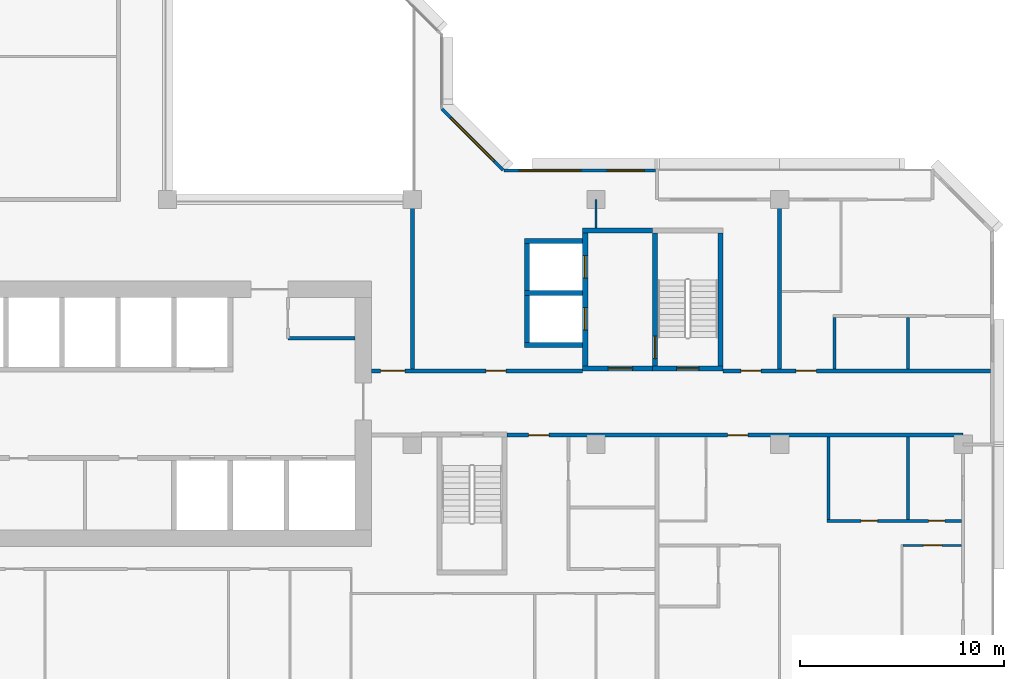
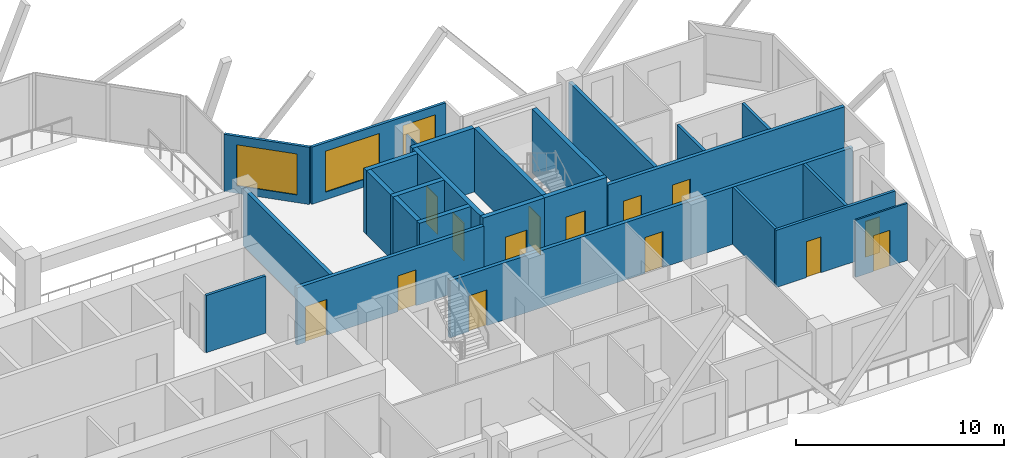
# One storey, part 7 of 15: 26 walls, 14 doors, 3 windows, 17 openings.
"""IFC4 building model written with IfcOpenShell, lengths in metres."""

from ifc_helpers import new_model, si_unit, direction, frame, frame_2d, origin, place, context, subcontext, project, spatial, rectangle, extrude, material, layer, layer_set, type_object, element, fill, save


model = new_model("IFC4")

# Units and contexts
model_context = context("Model", 3, precision=1e-05, world=origin(), true_north=direction((0.0, 1.0)))
body_context = subcontext(model_context, "Body", "Model", "MODEL_VIEW")
ifc_project = project(units=[si_unit("LENGTHUNIT", "METRE"), si_unit("AREAUNIT", "SQUARE_METRE"), si_unit("VOLUMEUNIT", "CUBIC_METRE"), si_unit("PLANEANGLEUNIT", "RADIAN"), si_unit("MASSUNIT", "GRAM", prefix="KILO")], contexts=[model_context])

# Site, building, storey
site_placement = place(None, origin())
site = spatial("IfcSite", under=ifc_project, at=site_placement, CompositionType="ELEMENT")
building_placement = place(site_placement, origin())
building = spatial("IfcBuilding", under=site, at=building_placement, Name="Chenar Terraces", CompositionType="ELEMENT")
storey_placement = place(building_placement, frame((0.0, 0.0, 187.39990234375)))
storey = spatial("IfcBuildingStorey", under=building, at=storey_placement, Name="L43", CompositionType="ELEMENT", Elevation=187.39990234375)

# Wall
ifc_material_1 = material(Name="Gypsum board on steel studs", Category="steel")
ifc_layer_1 = layer(ifc_material_1, 0.14990234375)
ifc_layer_set_1 = layer_set([ifc_layer_1], Name="Gypsum board on steel studs")
wall_type_1 = type_object("IfcWallType", Name="Core partition 150 gypsum board", PredefinedType="PARTITIONING", material=ifc_layer_set_1)
wall_1_placement = place(storey_placement, frame((29.89990234375, 17.199951171875, 0.0), z_axis=(0.0, 0.0, 1.0), x_axis=(1.0, 0.0, 0.0)))
element("IfcWall", 1, at=wall_1_placement, inside=storey, type_object=wall_type_1, Name="Core partition CP1 vestibule room south wall", PredefinedType="PARTITIONING", context=body_context, shape_type="SweptSolid", body=[
    extrude(rectangle(XDim=3.300048828125, YDim=0.14990234375, at=frame_2d((1.64990234375, 0.0))), origin(), (0.0, 0.0, 1.0), 3.35009765625),
])

# Wall, opening, door
ifc_material_2 = material(Name="Concrete C60/75", Category="concrete")
ifc_layer_2 = layer(ifc_material_2, 0.25)
ifc_layer_set_2 = layer_set([ifc_layer_2], Name="Concrete C60/75")
wall_type_2 = type_object("IfcWallType", Name="Core wall 250 Concrete C60/75", PredefinedType="SHEAR", material=ifc_layer_set_2)
wall_2_placement = place(storey_placement, frame((47.77490234375, 15.72509765625, 0.0), z_axis=(0.0, 0.0, 1.0), x_axis=(1.0, 0.0, 0.0)))
wall_2 = element("IfcWall", 2, at=wall_2_placement, inside=storey, type_object=wall_type_2, Name="Core wall ST3_S L43", PredefinedType="SHEAR", context=body_context, shape_type="SweptSolid", body=[
    extrude(rectangle(XDim=3.4501953125, YDim=0.25, at=frame_2d((1.72509765625, 0.0))), origin(), (0.0, 0.0, 1.0), 3.75),
])
opening_1_placement = place(wall_2_placement, frame((1.175048828125, 0.0, 0.0)))
opening_1 = element("IfcOpeningElement", 3, at=opening_1_placement, cuts=wall_2, Name="Opening DL43-C8", PredefinedType="OPENING", context=body_context, shape_type="SweptSolid", body=[
    extrude(rectangle(XDim=1.10009765625, YDim=2.199951171875, at=frame_2d((0.550048828125, 1.10009765625))), frame((0.0, 0.135009765625, 0.0), z_axis=(0.0, -1.0, 0.0), x_axis=(1.0, 0.0, 0.0)), (0.0, 0.0, 1.0), 0.27001953125),
])
ifc_material_3 = material(Name="Steel-framed fire-resisting door leaf", Category="steel")
door_type_1 = type_object("IfcDoorType", Name="Stair fire door FD60 1100 x 2200", OperationType="SINGLE_SWING_LEFT", PredefinedType="DOOR", material=ifc_material_3)
door_1_placement = place(opening_1_placement, frame((1.10009765625, 0.0, 0.0), z_axis=(0.0, 0.0, 1.0), x_axis=(-1.0, 0.0, 0.0)))
door_1 = element("IfcDoor", 4, at=door_1_placement, inside=storey, type_object=door_type_1, Name="Stair door DL43-C8", OperationType="SINGLE_SWING_LEFT", OverallHeight=2.199951171875, OverallWidth=1.10009765625, PredefinedType="DOOR", context=body_context, shape_type="SweptSolid", body=[
    extrude(rectangle(XDim=1.10009765625, YDim=2.199951171875, at=frame_2d((0.550048828125, 1.10009765625))), frame((0.0, 0.02490234375, 0.0), z_axis=(0.0, -1.0, 0.0), x_axis=(1.0, 0.0, 0.0)), (0.0, 0.0, 1.0), 0.050048828125),
])
fill(opening_1, door_1)

wall_3_placement = place(storey_placement, frame((47.89990234375, 15.85009765625, 0.0), z_axis=(0.0, 0.0, 1.0), x_axis=(0.0, 1.0, 0.0)))
wall_3 = element("IfcWall", 5, at=wall_3_placement, inside=storey, type_object=wall_type_2, Name="Core wall ST3_W L43", PredefinedType="SHEAR", context=body_context, shape_type="SweptSolid", body=[
    extrude(rectangle(XDim=6.5, YDim=0.25, at=frame_2d((3.25, 0.0))), origin(), (0.0, 0.0, 1.0), 3.75),
])
opening_2_placement = place(wall_3_placement, frame((0.35009765625, 0.0, 0.0)))
opening_2 = element("IfcOpeningElement", 6, at=opening_2_placement, cuts=wall_3, Name="Opening DL43-C11", PredefinedType="OPENING", context=body_context, shape_type="SweptSolid", body=[
    extrude(rectangle(XDim=1.10009765625, YDim=2.199951171875, at=frame_2d((0.550048828125, 1.10009765625))), frame((0.0, 0.135009765625, 0.0), z_axis=(0.0, -1.0, 0.0), x_axis=(1.0, 0.0, 0.0)), (0.0, 0.0, 1.0), 0.27001953125),
])
door_2_placement = place(opening_2_placement, frame((1.10009765625, 0.0, 0.0), z_axis=(0.0, 0.0, 1.0), x_axis=(-1.0, 0.0, 0.0)))
door_2 = element("IfcDoor", 7, at=door_2_placement, inside=storey, type_object=door_type_1, Name="Stair door DL43-C11", OperationType="SINGLE_SWING_RIGHT", OverallHeight=2.199951171875, OverallWidth=1.10009765625, PredefinedType="DOOR", context=body_context, shape_type="SweptSolid", body=[
    extrude(rectangle(XDim=1.10009765625, YDim=2.199951171875, at=frame_2d((0.550048828125, 1.10009765625))), frame((0.0, 0.02490234375, 0.0), z_axis=(0.0, -1.0, 0.0), x_axis=(1.0, 0.0, 0.0)), (0.0, 0.0, 1.0), 0.050048828125),
])
fill(opening_2, door_2)

# Wall
wall_4_placement = place(storey_placement, frame((51.10009765625, 15.85009765625, 0.0), z_axis=(0.0, 0.0, 1.0), x_axis=(0.0, 1.0, 0.0)))
element("IfcWall", 8, at=wall_4_placement, inside=storey, type_object=wall_type_2, Name="Core wall ST3_E L43", PredefinedType="SHEAR", context=body_context, shape_type="SweptSolid", body=[
    extrude(rectangle(XDim=6.5, YDim=0.25, at=frame_2d((3.25, 0.0))), origin(), (0.0, 0.0, 1.0), 3.75),
])

# Wall, opening, door
wall_5_placement = place(storey_placement, frame((44.35009765625, 15.72509765625, 0.0), z_axis=(0.0, 0.0, 1.0), x_axis=(1.0, 0.0, 0.0)))
wall_5 = element("IfcWall", 9, at=wall_5_placement, inside=storey, type_object=wall_type_2, Name="Core wall F3_LS L43", PredefinedType="SHEAR", context=body_context, shape_type="SweptSolid", body=[
    extrude(rectangle(XDim=3.4248046875, YDim=0.25, at=frame_2d((1.71240234375, 0.0))), origin(), (0.0, 0.0, 1.0), 3.75),
])
opening_3_placement = place(wall_5_placement, frame((1.25, 0.0, 0.0)))
opening_3 = element("IfcOpeningElement", 10, at=opening_3_placement, cuts=wall_5, Name="Opening DL43-C10", PredefinedType="OPENING", context=body_context, shape_type="SweptSolid", body=[
    extrude(rectangle(XDim=1.199951171875, YDim=2.199951171875, at=frame_2d((0.60009765625, 1.10009765625))), frame((0.0, 0.135009765625, 0.0), z_axis=(0.0, -1.0, 0.0), x_axis=(1.0, 0.0, 0.0)), (0.0, 0.0, 1.0), 0.27001953125),
])
ifc_material_4 = material(Name="Steel-framed fire-resisting door leaf", Category="steel")
door_type_2 = type_object("IfcDoorType", Name="Lobby fire door FD60 1200 x 2200", OperationType="SINGLE_SWING_LEFT", PredefinedType="DOOR", material=ifc_material_4)
door_3_placement = place(opening_3_placement, origin())
door_3 = element("IfcDoor", 11, at=door_3_placement, inside=storey, type_object=door_type_2, Name="Core door DL43-C10", OperationType="SINGLE_SWING_RIGHT", OverallHeight=2.199951171875, OverallWidth=1.199951171875, PredefinedType="DOOR", context=body_context, shape_type="SweptSolid", body=[
    extrude(rectangle(XDim=1.199951171875, YDim=2.199951171875, at=frame_2d((0.60009765625, 1.10009765625))), frame((0.0, 0.02490234375, 0.0), z_axis=(0.0, -1.0, 0.0), x_axis=(1.0, 0.0, 0.0)), (0.0, 0.0, 1.0), 0.050048828125),
])
fill(opening_3, door_3)

# Wall
wall_6_placement = place(storey_placement, frame((44.35009765625, 22.47509765625, 0.0), z_axis=(0.0, 0.0, 1.0), x_axis=(1.0, 0.0, 0.0)))
element("IfcWall", 12, at=wall_6_placement, inside=storey, type_object=wall_type_2, Name="Core wall F3_LN L43", PredefinedType="SHEAR", context=body_context, shape_type="SweptSolid", body=[
    extrude(rectangle(XDim=3.4248046875, YDim=0.25, at=frame_2d((1.71240234375, 0.0))), origin(), (0.0, 0.0, 1.0), 3.75),
])

# Wall, openings, doors
wall_7_placement = place(storey_placement, frame((44.47509765625, 15.85009765625, 0.0), z_axis=(0.0, 0.0, 1.0), x_axis=(0.0, 1.0, 0.0)))
wall_7 = element("IfcWall", 13, at=wall_7_placement, inside=storey, type_object=wall_type_2, Name="Core wall F3_LW L43", PredefinedType="SHEAR", context=body_context, shape_type="SweptSolid", body=[
    extrude(rectangle(XDim=6.5, YDim=0.25, at=frame_2d((3.25, 0.0))), origin(), (0.0, 0.0, 1.0), 3.75),
])
opening_4_placement = place(wall_7_placement, frame((1.75, 0.0, 0.0)))
opening_4 = element("IfcOpeningElement", 14, at=opening_4_placement, cuts=wall_7, Name="Opening DL43-LD8", PredefinedType="OPENING", context=body_context, shape_type="SweptSolid", body=[
    extrude(rectangle(XDim=1.10009765625, YDim=2.199951171875, at=frame_2d((0.550048828125, 1.10009765625))), frame((0.0, 0.135009765625, 0.0), z_axis=(0.0, -1.0, 0.0), x_axis=(1.0, 0.0, 0.0)), (0.0, 0.0, 1.0), 0.27001953125),
])
opening_5_placement = place(wall_7_placement, frame((4.300048828125, 0.0, 0.0)))
opening_5 = element("IfcOpeningElement", 15, at=opening_5_placement, cuts=wall_7, Name="Opening DL43-LD9", PredefinedType="OPENING", context=body_context, shape_type="SweptSolid", body=[
    extrude(rectangle(XDim=1.10009765625, YDim=2.199951171875, at=frame_2d((0.550048828125, 1.10009765625))), frame((0.0, 0.135009765625, 0.0), z_axis=(0.0, -1.0, 0.0), x_axis=(1.0, 0.0, 0.0)), (0.0, 0.0, 1.0), 0.27001953125),
])
ifc_material_5 = material(Name="Stainless steel", Category="steel")
door_type_3 = type_object("IfcDoorType", Name="Lift landing door 1100 x 2200 sliding", OperationType="DOUBLE_DOOR_SLIDING", PredefinedType="DOOR", material=ifc_material_5)
door_4_placement = place(opening_4_placement, origin())
door_4 = element("IfcDoor", 16, at=door_4_placement, inside=storey, type_object=door_type_3, Name="Landing door F3", OperationType="DOUBLE_DOOR_SLIDING", OverallHeight=2.199951171875, OverallWidth=1.10009765625, PredefinedType="DOOR", context=body_context, shape_type="SweptSolid", body=[
    extrude(rectangle(XDim=1.10009765625, YDim=2.199951171875, at=frame_2d((0.550048828125, 1.10009765625))), frame((0.0, 0.02490234375, 0.0), z_axis=(0.0, -1.0, 0.0), x_axis=(1.0, 0.0, 0.0)), (0.0, 0.0, 1.0), 0.050048828125),
])
fill(opening_4, door_4)
door_5_placement = place(opening_5_placement, origin())
door_5 = element("IfcDoor", 17, at=door_5_placement, inside=storey, type_object=door_type_3, Name="Landing door F4", OperationType="DOUBLE_DOOR_SLIDING", OverallHeight=2.199951171875, OverallWidth=1.10009765625, PredefinedType="DOOR", context=body_context, shape_type="SweptSolid", body=[
    extrude(rectangle(XDim=1.10009765625, YDim=2.199951171875, at=frame_2d((0.550048828125, 1.10009765625))), frame((0.0, 0.02490234375, 0.0), z_axis=(0.0, -1.0, 0.0), x_axis=(1.0, 0.0, 0.0)), (0.0, 0.0, 1.0), 0.050048828125),
])
fill(opening_5, door_5)

# Walls
for number, where, z_axis, x_axis, name in (
    (18, (41.5, 16.875, 0.0), (0.0, 0.0, 1.0), (1.0, 0.0, 0.0), "Core wall F3_SS L43"),
    (19, (41.5, 19.425048828125, 0.0), (0.0, 0.0, 1.0), (1.0, 0.0, 0.0), "Core wall F3_SM L43"),
    (20, (41.5, 21.97509765625, 0.0), (0.0, 0.0, 1.0), (1.0, 0.0, 0.0), "Core wall F4_SN L43"),
):
    element("IfcWall", number, at=place(storey_placement, frame(where, z_axis=z_axis, x_axis=x_axis)), inside=storey, type_object=wall_type_2, Name=name, PredefinedType="SHEAR", context=body_context, shape_type="SweptSolid", body=[
        extrude(rectangle(XDim=2.85009765625, YDim=0.25, at=frame_2d((1.425048828125, 0.0))), origin(), (0.0, 0.0, 1.0), 3.75),
    ])
for number, where, z_axis, x_axis, name in (
    (21, (41.625, 17.0, 0.0), (0.0, 0.0, 1.0), (0.0, 1.0, 0.0), "Core wall F3_SW L43"),
    (22, (41.625, 19.550048828125, 0.0), (0.0, 0.0, 1.0), (0.0, 1.0, 0.0), "Core wall F4_SW L43"),
):
    element("IfcWall", number, at=place(storey_placement, frame(where, z_axis=z_axis, x_axis=x_axis)), inside=storey, type_object=wall_type_2, Name=name, PredefinedType="SHEAR", context=body_context, shape_type="SweptSolid", body=[
        extrude(rectangle(XDim=2.300048828125, YDim=0.25, at=frame_2d((1.14990234375, 0.0))), origin(), (0.0, 0.0, 1.0), 3.75),
    ])

# Wall, openings, doors
ifc_material_6 = material(Name="Gypsum board on steel studs with fire boards", Category="steel")
ifc_layer_3 = layer(ifc_material_6, 0.199951171875)
ifc_layer_set_3 = layer_set([ifc_layer_3], Name="Gypsum board on steel studs with fire boards")
wall_type_3 = type_object("IfcWallType", Name="Corridor wall 200", PredefinedType="PARTITIONING", material=ifc_layer_set_3)
wall_8_placement = place(storey_placement, frame((34.0, 15.60009765625, 0.0), z_axis=(0.0, 0.0, 1.0), x_axis=(1.0, 0.0, 0.0)))
wall_8 = element("IfcWall", 23, at=wall_8_placement, inside=storey, type_object=wall_type_3, Name="Partition L43-060", PredefinedType="PARTITIONING", context=body_context, shape_type="SweptSolid", body=[
    extrude(rectangle(XDim=10.35009765625, YDim=0.199951171875, at=frame_2d((5.175048828125, 0.0))), origin(), (0.0, 0.0, 1.0), 3.35009765625),
])
opening_6_placement = place(wall_8_placement, frame((5.60009765625, 0.0, 0.0)))
opening_6 = element("IfcOpeningElement", 24, at=opening_6_placement, cuts=wall_8, Name="Opening DL43-3", PredefinedType="OPENING", context=body_context, shape_type="SweptSolid", body=[
    extrude(rectangle(XDim=1.0, YDim=2.10009765625, at=frame_2d((0.5, 1.050048828125))), frame((0.0, 0.10986328125, 0.0), z_axis=(0.0, -1.0, 0.0), x_axis=(1.0, 0.0, 0.0)), (0.0, 0.0, 1.0), 0.219970703125),
])
opening_7_placement = place(wall_8_placement, frame((0.449951171875, 0.0, 0.0)))
opening_7 = element("IfcOpeningElement", 25, at=opening_7_placement, cuts=wall_8, Name="Opening DL43-38", PredefinedType="OPENING", context=body_context, shape_type="SweptSolid", body=[
    extrude(rectangle(XDim=1.199951171875, YDim=2.10009765625, at=frame_2d((0.60009765625, 1.050048828125))), frame((0.0, 0.10986328125, 0.0), z_axis=(0.0, -1.0, 0.0), x_axis=(1.0, 0.0, 0.0)), (0.0, 0.0, 1.0), 0.219970703125),
])
ifc_material_7 = material(Name="Steel-framed fire-resisting door leaf", Category="steel")
door_type_4 = type_object("IfcDoorType", Name="Fire door FD60 1000 x 2100", OperationType="SINGLE_SWING_LEFT", PredefinedType="DOOR", material=ifc_material_7)
door_6_placement = place(opening_6_placement, origin())
door_6 = element("IfcDoor", 26, at=door_6_placement, inside=storey, type_object=door_type_4, Name="Door DL43-3", OperationType="SINGLE_SWING_RIGHT", OverallHeight=2.10009765625, OverallWidth=1.0, PredefinedType="DOOR", context=body_context, shape_type="SweptSolid", body=[
    extrude(rectangle(XDim=1.0, YDim=2.10009765625, at=frame_2d((0.5, 1.050048828125))), frame((0.0, 0.02490234375, 0.0), z_axis=(0.0, -1.0, 0.0), x_axis=(1.0, 0.0, 0.0)), (0.0, 0.0, 1.0), 0.050048828125),
])
fill(opening_6, door_6)
ifc_material_8 = material(Name="Steel-framed fire-resisting door leaf", Category="steel")
door_type_5 = type_object("IfcDoorType", Name="Fire door FD60 1200 x 2100", OperationType="SINGLE_SWING_LEFT", PredefinedType="DOOR", material=ifc_material_8)
door_7_placement = place(opening_7_placement, origin())
door_7 = element("IfcDoor", 27, at=door_7_placement, inside=storey, type_object=door_type_5, Name="Door DL43-38", OperationType="SINGLE_SWING_RIGHT", OverallHeight=2.10009765625, OverallWidth=1.199951171875, PredefinedType="DOOR", context=body_context, shape_type="SweptSolid", body=[
    extrude(rectangle(XDim=1.199951171875, YDim=2.10009765625, at=frame_2d((0.60009765625, 1.050048828125))), frame((0.0, 0.02490234375, 0.0), z_axis=(0.0, -1.0, 0.0), x_axis=(1.0, 0.0, 0.0)), (0.0, 0.0, 1.0), 0.050048828125),
])
fill(opening_7, door_7)

# Wall
wall_9_placement = place(storey_placement, frame((36.0, 15.699951171875, 0.0), z_axis=(0.0, 0.0, 1.0), x_axis=(0.0, 1.0, 0.0)))
element("IfcWall", 28, at=wall_9_placement, inside=storey, type_object=wall_type_3, Name="Partition L43-061", PredefinedType="PARTITIONING", context=body_context, shape_type="SweptSolid", body=[
    extrude(rectangle(XDim=8.300048828125, YDim=0.199951171875, at=frame_2d((4.14990234375, 0.0))), origin(), (0.0, 0.0, 1.0), 3.35009765625),
])

# Wall, openings, doors
wall_10_placement = place(storey_placement, frame((40.64990234375, 12.449951171875, 0.0), z_axis=(0.0, 0.0, 1.0), x_axis=(1.0, 0.0, 0.0)))
wall_10 = element("IfcWall", 29, at=wall_10_placement, inside=storey, type_object=wall_type_3, Name="Partition L43-062", PredefinedType="PARTITIONING", context=body_context, shape_type="SweptSolid", body=[
    extrude(rectangle(XDim=22.35009765625, YDim=0.199951171875, at=frame_2d((11.175048828125, 0.0))), origin(), (0.0, 0.0, 1.0), 3.35009765625),
])
opening_8_placement = place(wall_10_placement, frame((10.800048828125, 0.0, 0.0)))
opening_8 = element("IfcOpeningElement", 30, at=opening_8_placement, cuts=wall_10, Name="Opening DL43-14", PredefinedType="OPENING", context=body_context, shape_type="SweptSolid", body=[
    extrude(rectangle(XDim=1.0, YDim=2.10009765625, at=frame_2d((0.5, 1.050048828125))), frame((0.0, 0.10986328125, 0.0), z_axis=(0.0, -1.0, 0.0), x_axis=(1.0, 0.0, 0.0)), (0.0, 0.0, 1.0), 0.219970703125),
])
opening_9_placement = place(wall_10_placement, frame((1.050048828125, 0.0, 0.0)))
opening_9 = element("IfcOpeningElement", 31, at=opening_9_placement, cuts=wall_10, Name="Opening DL43-53", PredefinedType="OPENING", context=body_context, shape_type="SweptSolid", body=[
    extrude(rectangle(XDim=1.0, YDim=2.10009765625, at=frame_2d((0.5, 1.050048828125))), frame((0.0, 0.10986328125, 0.0), z_axis=(0.0, -1.0, 0.0), x_axis=(1.0, 0.0, 0.0)), (0.0, 0.0, 1.0), 0.219970703125),
])
ifc_material_9 = material(Name="Steel-framed fire-resisting door leaf", Category="steel")
door_type_6 = type_object("IfcDoorType", Name="Fire door FD30S 1000 x 2100", OperationType="SINGLE_SWING_LEFT", PredefinedType="DOOR", material=ifc_material_9)
door_8_placement = place(opening_8_placement, frame((1.0, 0.0, 0.0), z_axis=(0.0, 0.0, 1.0), x_axis=(-1.0, 0.0, 0.0)))
door_8 = element("IfcDoor", 32, at=door_8_placement, inside=storey, type_object=door_type_6, Name="Door DL43-14", OperationType="SINGLE_SWING_RIGHT", OverallHeight=2.10009765625, OverallWidth=1.0, PredefinedType="DOOR", context=body_context, shape_type="SweptSolid", body=[
    extrude(rectangle(XDim=1.0, YDim=2.10009765625, at=frame_2d((0.5, 1.050048828125))), frame((0.0, 0.02490234375, 0.0), z_axis=(0.0, -1.0, 0.0), x_axis=(1.0, 0.0, 0.0)), (0.0, 0.0, 1.0), 0.050048828125),
])
fill(opening_8, door_8)
door_9_placement = place(opening_9_placement, origin())
door_9 = element("IfcDoor", 33, at=door_9_placement, inside=storey, type_object=door_type_6, Name="Door DL43-53", OperationType="SINGLE_SWING_LEFT", OverallHeight=2.10009765625, OverallWidth=1.0, PredefinedType="DOOR", context=body_context, shape_type="SweptSolid", body=[
    extrude(rectangle(XDim=1.0, YDim=2.10009765625, at=frame_2d((0.5, 1.050048828125))), frame((0.0, 0.02490234375, 0.0), z_axis=(0.0, -1.0, 0.0), x_axis=(1.0, 0.0, 0.0)), (0.0, 0.0, 1.0), 0.050048828125),
])
fill(opening_9, door_9)

wall_11_placement = place(storey_placement, frame((51.22509765625, 15.60009765625, 0.0), z_axis=(0.0, 0.0, 1.0), x_axis=(1.0, 0.0, 0.0)))
wall_11 = element("IfcWall", 34, at=wall_11_placement, inside=storey, type_object=wall_type_3, Name="Partition L43-075", PredefinedType="PARTITIONING", context=body_context, shape_type="SweptSolid", body=[
    extrude(rectangle(XDim=13.125, YDim=0.199951171875, at=frame_2d((6.5625, 0.0))), origin(), (0.0, 0.0, 1.0), 3.35009765625),
])
opening_10_placement = place(wall_11_placement, frame((3.574951171875, 0.0, 0.0)))
opening_10 = element("IfcOpeningElement", 35, at=opening_10_placement, cuts=wall_11, Name="Opening DL43-7", PredefinedType="OPENING", context=body_context, shape_type="SweptSolid", body=[
    extrude(rectangle(XDim=1.0, YDim=2.10009765625, at=frame_2d((0.5, 1.050048828125))), frame((0.0, 0.10986328125, 0.0), z_axis=(0.0, -1.0, 0.0), x_axis=(1.0, 0.0, 0.0)), (0.0, 0.0, 1.0), 0.219970703125),
])
opening_11_placement = place(wall_11_placement, frame((0.875, 0.0, 0.0)))
opening_11 = element("IfcOpeningElement", 36, at=opening_11_placement, cuts=wall_11, Name="Opening DL43-42", PredefinedType="OPENING", context=body_context, shape_type="SweptSolid", body=[
    extrude(rectangle(XDim=1.0, YDim=2.10009765625, at=frame_2d((0.5, 1.050048828125))), frame((0.0, 0.10986328125, 0.0), z_axis=(0.0, -1.0, 0.0), x_axis=(1.0, 0.0, 0.0)), (0.0, 0.0, 1.0), 0.219970703125),
])
door_10_placement = place(opening_10_placement, origin())
door_10 = element("IfcDoor", 37, at=door_10_placement, inside=storey, type_object=door_type_6, Name="Door DL43-7", OperationType="SINGLE_SWING_LEFT", OverallHeight=2.10009765625, OverallWidth=1.0, PredefinedType="DOOR", context=body_context, shape_type="SweptSolid", body=[
    extrude(rectangle(XDim=1.0, YDim=2.10009765625, at=frame_2d((0.5, 1.050048828125))), frame((0.0, 0.02490234375, 0.0), z_axis=(0.0, -1.0, 0.0), x_axis=(1.0, 0.0, 0.0)), (0.0, 0.0, 1.0), 0.050048828125),
])
fill(opening_10, door_10)
door_11_placement = place(opening_11_placement, origin())
door_11 = element("IfcDoor", 38, at=door_11_placement, inside=storey, type_object=door_type_6, Name="Door DL43-42", OperationType="SINGLE_SWING_RIGHT", OverallHeight=2.10009765625, OverallWidth=1.0, PredefinedType="DOOR", context=body_context, shape_type="SweptSolid", body=[
    extrude(rectangle(XDim=1.0, YDim=2.10009765625, at=frame_2d((0.5, 1.050048828125))), frame((0.0, 0.02490234375, 0.0), z_axis=(0.0, -1.0, 0.0), x_axis=(1.0, 0.0, 0.0)), (0.0, 0.0, 1.0), 0.050048828125),
])
fill(opening_11, door_11)

# Wall, openings, windows
ifc_material_10 = material(Name="Aluminium framed glazing", Category="aluminium")
ifc_layer_4 = layer(ifc_material_10, 0.14990234375)
ifc_layer_set_4 = layer_set([ifc_layer_4], Name="Aluminium framed glazing")
wall_type_4 = type_object("IfcWallType", Name="Glazed flush facade wall 150", PredefinedType="SOLIDWALL", material=ifc_layer_set_4)
wall_12_placement = place(storey_placement, frame((47.925048828125, 25.425048828125, 0.0), z_axis=(0.0, 0.0, 1.0), x_axis=(-1.0, 0.0, 0.0)))
wall_12 = element("IfcWall", 39, at=wall_12_placement, inside=storey, type_object=wall_type_4, Name="Glazed flush facade wall", PredefinedType="SOLIDWALL", context=body_context, shape_type="SweptSolid", body=[
    extrude(rectangle(XDim=7.425048828125, YDim=0.14990234375, at=frame_2d((3.71240234375, 0.0))), origin(), (0.0, 0.0, 1.0), 3.35009765625),
])
opening_12_placement = place(wall_12_placement, frame((0.5625, 0.0, 0.449951171875)))
opening_12 = element("IfcOpeningElement", 40, at=opening_12_placement, cuts=wall_12, Name="Opening W180x240", PredefinedType="OPENING", context=body_context, shape_type="SweptSolid", body=[
    extrude(rectangle(XDim=1.800048828125, YDim=2.39990234375, at=frame_2d((0.89990234375, 1.199951171875))), frame((0.0, 0.0849609375, 0.0), z_axis=(0.0, -1.0, 0.0), x_axis=(1.0, 0.0, 0.0)), (0.0, 0.0, 1.0), 0.169921875),
])
opening_13_placement = place(wall_12_placement, frame((3.675048828125, 0.0, 0.449951171875)))
opening_13 = element("IfcOpeningElement", 41, at=opening_13_placement, cuts=wall_12, Name="Opening W300x240", PredefinedType="OPENING", context=body_context, shape_type="SweptSolid", body=[
    extrude(rectangle(XDim=3.0, YDim=2.39990234375, at=frame_2d((1.5, 1.199951171875))), frame((0.0, 0.0849609375, 0.0), z_axis=(0.0, -1.0, 0.0), x_axis=(1.0, 0.0, 0.0)), (0.0, 0.0, 1.0), 0.169921875),
])
ifc_material_11 = material(Name="Low emissivity double glazing, aluminium frame", Category="aluminium")
window_type_1 = type_object("IfcWindowType", Name="Fixed light 1800 x 2400", PartitioningType="SINGLE_PANEL", PredefinedType="WINDOW", material=ifc_material_11)
window_1_placement = place(opening_12_placement, origin())
window_1 = element("IfcWindow", 42, at=window_1_placement, inside=storey, type_object=window_type_1, Name="Window", OverallHeight=2.39990234375, OverallWidth=1.800048828125, PartitioningType="SINGLE_PANEL", PredefinedType="WINDOW", context=body_context, shape_type="SweptSolid", body=[
    extrude(rectangle(XDim=1.800048828125, YDim=2.39990234375, at=frame_2d((0.89990234375, 1.199951171875))), frame((0.0, 0.030029296875, 0.0), z_axis=(0.0, -1.0, 0.0), x_axis=(1.0, 0.0, 0.0)), (0.0, 0.0, 1.0), 0.06005859375),
])
fill(opening_12, window_1)
ifc_material_12 = material(Name="Low emissivity double glazing, aluminium frame", Category="aluminium")
window_type_2 = type_object("IfcWindowType", Name="Fixed light 3000 x 2400", PartitioningType="SINGLE_PANEL", PredefinedType="WINDOW", material=ifc_material_12)
window_2_placement = place(opening_13_placement, origin())
window_2 = element("IfcWindow", 43, at=window_2_placement, inside=storey, type_object=window_type_2, Name="Window", OverallHeight=2.39990234375, OverallWidth=3.0, PartitioningType="SINGLE_PANEL", PredefinedType="WINDOW", context=body_context, shape_type="SweptSolid", body=[
    extrude(rectangle(XDim=3.0, YDim=2.39990234375, at=frame_2d((1.5, 1.199951171875))), frame((0.0, 0.030029296875, 0.0), z_axis=(0.0, -1.0, 0.0), x_axis=(1.0, 0.0, 0.0)), (0.0, 0.0, 1.0), 0.06005859375),
])
fill(opening_13, window_2)

# Wall
ifc_material_13 = material(Name="Gypsum board on steel studs", Category="steel")
ifc_layer_5 = layer(ifc_material_13, 0.10009765625)
ifc_layer_set_5 = layer_set([ifc_layer_5], Name="Gypsum board on steel studs")
wall_type_5 = type_object("IfcWallType", Name="Gypsum partition 100", PredefinedType="PARTITIONING", material=ifc_layer_set_5)
wall_13_placement = place(storey_placement, frame((45.0, 22.60009765625, 0.0), z_axis=(0.0, 0.0, 1.0), x_axis=(0.0, 1.0, 0.0)))
element("IfcWall", 44, at=wall_13_placement, inside=storey, type_object=wall_type_5, Name="Partition L43-068", PredefinedType="PARTITIONING", context=body_context, shape_type="SweptSolid", body=[
    extrude(rectangle(XDim=1.39990234375, YDim=0.10009765625, at=frame_2d((0.699951171875, 0.0))), origin(), (0.0, 0.0, 1.0), 3.35009765625),
])

# Wall, opening, door
wall_14_placement = place(storey_placement, frame((60.050048828125, 7.050048828125, 0.0), z_axis=(0.0, 0.0, 1.0), x_axis=(1.0, 0.0, 0.0)))
wall_14 = element("IfcWall", 45, at=wall_14_placement, inside=storey, type_object=wall_type_5, Name="Partition L43-085", PredefinedType="PARTITIONING", context=body_context, shape_type="SweptSolid", body=[
    extrude(rectangle(XDim=2.8759765625, YDim=0.10009765625, at=frame_2d((1.43798828125, 0.0))), origin(), (0.0, 0.0, 1.0), 3.35009765625),
])
opening_14_placement = place(wall_14_placement, frame((1.0, 0.0, 0.0)))
opening_14 = element("IfcOpeningElement", 46, at=opening_14_placement, cuts=wall_14, Name="Opening DL43-9", PredefinedType="OPENING", context=body_context, shape_type="SweptSolid", body=[
    extrude(rectangle(XDim=0.89990234375, YDim=2.10009765625, at=frame_2d((0.449951171875, 1.050048828125))), frame((0.0, 0.06005859375, 0.0), z_axis=(0.0, -1.0, 0.0), x_axis=(1.0, 0.0, 0.0)), (0.0, 0.0, 1.0), 0.1201171875),
])
ifc_material_14 = material(Name="Veneered timber door leaf", Category="wood")
door_type_7 = type_object("IfcDoorType", Name="Door 900 x 2100", OperationType="SINGLE_SWING_LEFT", PredefinedType="DOOR", material=ifc_material_14)
door_12_placement = place(opening_14_placement, frame((0.89990234375, 0.0, 0.0), z_axis=(0.0, 0.0, 1.0), x_axis=(-1.0, 0.0, 0.0)))
door_12 = element("IfcDoor", 47, at=door_12_placement, inside=storey, type_object=door_type_7, Name="Door DL43-9", OperationType="SINGLE_SWING_LEFT", OverallHeight=2.10009765625, OverallWidth=0.89990234375, PredefinedType="DOOR", context=body_context, shape_type="SweptSolid", body=[
    extrude(rectangle(XDim=0.89990234375, YDim=2.10009765625, at=frame_2d((0.449951171875, 1.050048828125))), frame((0.0, 0.02490234375, 0.0), z_axis=(0.0, -1.0, 0.0), x_axis=(1.0, 0.0, 0.0)), (0.0, 0.0, 1.0), 0.050048828125),
])
fill(opening_14, door_12)

# Wall, opening, window
ifc_material_15 = material(Name="Terracotta cladding on insulated backing", Category="masonry")
ifc_layer_6 = layer(ifc_material_15, 0.14990234375)
ifc_layer_set_6 = layer_set([ifc_layer_6], Name="Terracotta cladding on insulated backing")
wall_type_6 = type_object("IfcWallType", Name="Terracotta rainscreen wall 150", PredefinedType="SOLIDWALL", material=ifc_layer_set_6)
wall_15_placement = place(storey_placement, frame((40.447021484375, 25.447021484375, 0.0), z_axis=(0.0, 0.0, 1.0), x_axis=(-0.707106781187, 0.707106781187, 0.0)))
wall_15 = element("IfcWall", 48, at=wall_15_placement, inside=storey, type_object=wall_type_6, Name="Terracotta rainscreen wall", PredefinedType="SOLIDWALL", context=body_context, shape_type="SweptSolid", body=[
    extrude(rectangle(XDim=4.24267578125, YDim=0.14990234375, at=frame_2d((2.121337890625, 0.0))), origin(), (0.0, 0.0, 1.0), 3.35009765625),
])
opening_15_placement = place(wall_15_placement, frame((0.621337890625, 0.0, 0.449951171875)))
opening_15 = element("IfcOpeningElement", 49, at=opening_15_placement, cuts=wall_15, Name="Opening W300x240", PredefinedType="OPENING", context=body_context, shape_type="SweptSolid", body=[
    extrude(rectangle(XDim=3.0, YDim=2.39990234375, at=frame_2d((1.5, 1.199951171875))), frame((0.0, 0.0849609375, 0.0), z_axis=(0.0, -1.0, 0.0), x_axis=(1.0, 0.0, 0.0)), (0.0, 0.0, 1.0), 0.169921875),
])
window_3_placement = place(opening_15_placement, origin())
window_3 = element("IfcWindow", 50, at=window_3_placement, inside=storey, type_object=window_type_2, Name="Window", OverallHeight=2.39990234375, OverallWidth=3.0, PartitioningType="SINGLE_PANEL", PredefinedType="WINDOW", context=body_context, shape_type="SweptSolid", body=[
    extrude(rectangle(XDim=3.0, YDim=2.39990234375, at=frame_2d((1.5, 1.199951171875))), frame((0.0, 0.030029296875, 0.0), z_axis=(0.0, -1.0, 0.0), x_axis=(1.0, 0.0, 0.0)), (0.0, 0.0, 1.0), 0.06005859375),
])
fill(opening_15, window_3)

# Wall
ifc_material_16 = material(Name="Twin gypsum board on steel studs with mineral wool", Category="steel")
ifc_layer_7 = layer(ifc_material_16, 0.199951171875)
ifc_layer_set_7 = layer_set([ifc_layer_7], Name="Twin gypsum board on steel studs with mineral wool")
wall_type_7 = type_object("IfcWallType", Name="Unit demising wall 200", PredefinedType="PARTITIONING", material=ifc_layer_set_7)
wall_16_placement = place(storey_placement, frame((54.0, 15.699951171875, 0.0), z_axis=(0.0, 0.0, 1.0), x_axis=(0.0, 1.0, 0.0)))
element("IfcWall", 51, at=wall_16_placement, inside=storey, type_object=wall_type_7, Name="Partition L43-077", PredefinedType="PARTITIONING", context=body_context, shape_type="SweptSolid", body=[
    extrude(rectangle(XDim=8.22607421875, YDim=0.199951171875, at=frame_2d((4.113037109375, 0.0))), origin(), (0.0, 0.0, 1.0), 3.35009765625),
])

# Wall, openings, doors
ifc_material_17 = material(Name="Moisture-resistant gypsum board on steel studs", Category="steel")
ifc_layer_8 = layer(ifc_material_17, 0.14990234375)
ifc_layer_set_8 = layer_set([ifc_layer_8], Name="Moisture-resistant gypsum board on steel studs")
wall_type_8 = type_object("IfcWallType", Name="Wet-room partition 150", PredefinedType="PARTITIONING", material=ifc_layer_set_8)
wall_17_placement = place(storey_placement, frame((56.324951171875, 8.25, 0.0), z_axis=(0.0, 0.0, 1.0), x_axis=(1.0, 0.0, 0.0)))
wall_17 = element("IfcWall", 52, at=wall_17_placement, inside=storey, type_object=wall_type_8, Name="Partition L43-079", PredefinedType="PARTITIONING", context=body_context, shape_type="SweptSolid", body=[
    extrude(rectangle(XDim=6.60107421875, YDim=0.14990234375, at=frame_2d((3.300537109375, 0.0))), origin(), (0.0, 0.0, 1.0), 3.35009765625),
])
opening_16_placement = place(wall_17_placement, frame((1.675048828125, 0.0, 0.0)))
opening_16 = element("IfcOpeningElement", 53, at=opening_16_placement, cuts=wall_17, Name="Opening DL43-8", PredefinedType="OPENING", context=body_context, shape_type="SweptSolid", body=[
    extrude(rectangle(XDim=0.800048828125, YDim=2.10009765625, at=frame_2d((0.39990234375, 1.050048828125))), frame((0.0, 0.0849609375, 0.0), z_axis=(0.0, -1.0, 0.0), x_axis=(1.0, 0.0, 0.0)), (0.0, 0.0, 1.0), 0.169921875),
])
opening_17_placement = place(wall_17_placement, frame((4.97509765625, 0.0, 0.0)))
opening_17 = element("IfcOpeningElement", 54, at=opening_17_placement, cuts=wall_17, Name="Opening DL43-13", PredefinedType="OPENING", context=body_context, shape_type="SweptSolid", body=[
    extrude(rectangle(XDim=0.800048828125, YDim=2.10009765625, at=frame_2d((0.39990234375, 1.050048828125))), frame((0.0, 0.0849609375, 0.0), z_axis=(0.0, -1.0, 0.0), x_axis=(1.0, 0.0, 0.0)), (0.0, 0.0, 1.0), 0.169921875),
])
ifc_material_18 = material(Name="Veneered timber door leaf", Category="wood")
door_type_8 = type_object("IfcDoorType", Name="Door 800 x 2100", OperationType="SINGLE_SWING_LEFT", PredefinedType="DOOR", material=ifc_material_18)
door_13_placement = place(opening_16_placement, origin())
door_13 = element("IfcDoor", 55, at=door_13_placement, inside=storey, type_object=door_type_8, Name="Door DL43-8", OperationType="SINGLE_SWING_RIGHT", OverallHeight=2.10009765625, OverallWidth=0.800048828125, PredefinedType="DOOR", context=body_context, shape_type="SweptSolid", body=[
    extrude(rectangle(XDim=0.800048828125, YDim=2.10009765625, at=frame_2d((0.39990234375, 1.050048828125))), frame((0.0, 0.02490234375, 0.0), z_axis=(0.0, -1.0, 0.0), x_axis=(1.0, 0.0, 0.0)), (0.0, 0.0, 1.0), 0.050048828125),
])
fill(opening_16, door_13)
door_14_placement = place(opening_17_placement, origin())
door_14 = element("IfcDoor", 56, at=door_14_placement, inside=storey, type_object=door_type_8, Name="Door DL43-13", OperationType="SINGLE_SWING_RIGHT", OverallHeight=2.10009765625, OverallWidth=0.800048828125, PredefinedType="DOOR", context=body_context, shape_type="SweptSolid", body=[
    extrude(rectangle(XDim=0.800048828125, YDim=2.10009765625, at=frame_2d((0.39990234375, 1.050048828125))), frame((0.0, 0.02490234375, 0.0), z_axis=(0.0, -1.0, 0.0), x_axis=(1.0, 0.0, 0.0)), (0.0, 0.0, 1.0), 0.050048828125),
])
fill(opening_17, door_14)

# Walls
wall_18_placement = place(storey_placement, frame((56.39990234375, 8.324951171875, 0.0), z_axis=(0.0, 0.0, 1.0), x_axis=(0.0, 1.0, 0.0)))
element("IfcWall", 57, at=wall_18_placement, inside=storey, type_object=wall_type_8, Name="Partition L43-080", PredefinedType="PARTITIONING", context=body_context, shape_type="SweptSolid", body=[
    extrude(rectangle(XDim=4.025146484375, YDim=0.14990234375, at=frame_2d((2.0126953125, 0.0))), origin(), (0.0, 0.0, 1.0), 3.35009765625),
])
wall_19_placement = place(storey_placement, frame((56.699951171875, 15.699951171875, 0.0), z_axis=(0.0, 0.0, 1.0), x_axis=(0.0, 1.0, 0.0)))
element("IfcWall", 58, at=wall_19_placement, inside=storey, type_object=wall_type_8, Name="Partition L43-082", PredefinedType="PARTITIONING", context=body_context, shape_type="SweptSolid", body=[
    extrude(rectangle(XDim=2.525146484375, YDim=0.14990234375, at=frame_2d((1.2626953125, 0.0))), origin(), (0.0, 0.0, 1.0), 3.35009765625),
])
wall_20_placement = place(storey_placement, frame((60.300048828125, 8.324951171875, 0.0), z_axis=(0.0, 0.0, 1.0), x_axis=(0.0, 1.0, 0.0)))
element("IfcWall", 59, at=wall_20_placement, inside=storey, type_object=wall_type_8, Name="Partition L43-086", PredefinedType="PARTITIONING", context=body_context, shape_type="SweptSolid", body=[
    extrude(rectangle(XDim=4.025146484375, YDim=0.14990234375, at=frame_2d((2.0126953125, 0.0))), origin(), (0.0, 0.0, 1.0), 3.35009765625),
])
wall_21_placement = place(storey_placement, frame((60.300048828125, 15.699951171875, 0.0), z_axis=(0.0, 0.0, 1.0), x_axis=(0.0, 1.0, 0.0)))
element("IfcWall", 60, at=wall_21_placement, inside=storey, type_object=wall_type_8, Name="Partition L43-087", PredefinedType="PARTITIONING", context=body_context, shape_type="SweptSolid", body=[
    extrude(rectangle(XDim=2.525146484375, YDim=0.14990234375, at=frame_2d((1.2626953125, 0.0))), origin(), (0.0, 0.0, 1.0), 3.35009765625),
])

save(model, "model.ifc")
